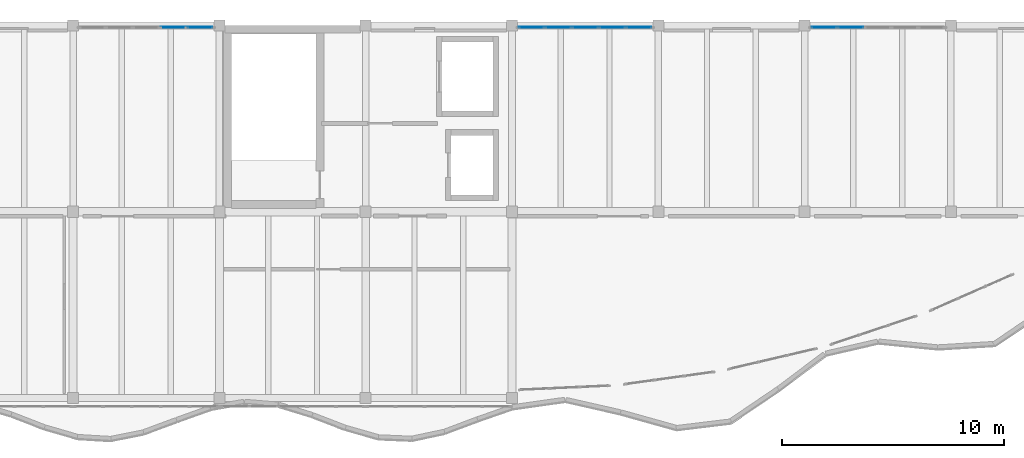
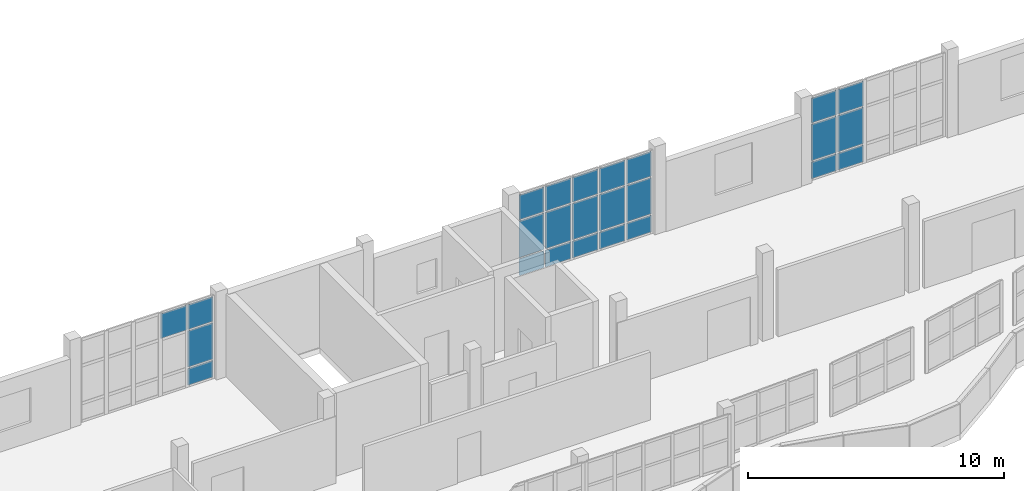
# One storey, part 30 of 47: 25 plates, 3 elements without a shape of their own.
"""IFC4 building model written with IfcOpenShell, lengths in metres."""

from ifc_helpers import new_model, si_unit, direction, frame, origin, origin_2d, place, context, subcontext, project, spatial, rectangle, extrude, material, layer, layer_set, type_object, element, aggregate, save


model = new_model("IFC4")

# Units and contexts
model_context = context("Model", 3, precision=1e-05, world=origin(), true_north=direction((0.0, 1.0)))
body_context = subcontext(model_context, "Body", "Model", "MODEL_VIEW")
ifc_project = project(units=[si_unit("LENGTHUNIT", "METRE"), si_unit("AREAUNIT", "SQUARE_METRE"), si_unit("VOLUMEUNIT", "CUBIC_METRE"), si_unit("PLANEANGLEUNIT", "RADIAN"), si_unit("MASSUNIT", "GRAM", prefix="KILO")], contexts=[model_context])

# Site, building, storey
site_placement = place(None, origin())
site = spatial("IfcSite", under=ifc_project, at=site_placement, CompositionType="ELEMENT")
building_placement = place(site_placement, origin())
building = spatial("IfcBuilding", under=site, at=building_placement, Name="Qaldarim Faculty of Natural and Applied Sciences", CompositionType="ELEMENT")
storey_placement = place(building_placement, frame((0.0, 0.0, 22.800048828125)))
storey = spatial("IfcBuildingStorey", under=building, at=storey_placement, Name="L05", CompositionType="ELEMENT", Elevation=22.800048828125)

# Curtain wall, plates
ifc_material_1 = material(Name="Anodised aluminium AW-6063", Category="aluminium")
curtain_wall_type = type_object("IfcCurtainWallType", Name="CurtainWallSystem-M1200", PredefinedType="USERDEFINED", material=ifc_material_1)
curtain_wall_1_placement = place(storey_placement, origin())
curtain_wall_1 = element("IfcCurtainWall", 1, at=curtain_wall_1_placement, inside=storey, type_object=curtain_wall_type, Name="Curtain wall CW-L05-N-X15Y14", ObjectType="STICK CURTAIN WALL", PredefinedType="USERDEFINED")
ifc_material_2 = material(Name="Insulated low-e double glazing", Category="glass")
ifc_layer = layer(ifc_material_2, 0.031982421875)
ifc_layer_set = layer_set([ifc_layer], Name="Insulated low-e double glazing")
plate_type = type_object("IfcPlateType", Name="SolarControlGlazingPanel-32", PredefinedType="CURTAIN_PANEL", material=ifc_layer_set)
plate_1_placement = place(storey_placement, frame((98.12646484375, 117.52001953125, 0.070068359375), z_axis=(0.0, 0.0, 1.0), x_axis=(-1.0, 0.0, 0.0)))
plate_1 = element("IfcPlate", 2, at=plate_1_placement, type_object=plate_type, Name="Glazed panel 1-1 of CW-L05-N-X15Y14", PredefinedType="CURTAIN_PANEL", context=body_context, shape_type="SweptSolid", body=[
    extrude(rectangle(XDim=1.116943359375, YDim=0.031982421875, at=origin_2d()), origin(), (0.0, 0.0, 1.0), 0.794921875),
])
plate_2_placement = place(storey_placement, frame((98.12646484375, 117.52001953125, 0.93505859375), z_axis=(0.0, 0.0, 1.0), x_axis=(-1.0, 0.0, 0.0)))
plate_2 = element("IfcPlate", 3, at=plate_2_placement, type_object=plate_type, Name="Glazed panel 1-2 of CW-L05-N-X15Y14", PredefinedType="CURTAIN_PANEL", context=body_context, shape_type="SweptSolid", body=[
    extrude(rectangle(XDim=1.116943359375, YDim=0.031982421875, at=origin_2d()), origin(), (0.0, 0.0, 1.0), 1.72998046875),
])
plate_3_placement = place(storey_placement, frame((98.12646484375, 117.52001953125, 2.73486328125), z_axis=(0.0, 0.0, 1.0), x_axis=(-1.0, 0.0, 0.0)))
plate_3 = element("IfcPlate", 4, at=plate_3_placement, type_object=plate_type, Name="Glazed panel 1-3 of CW-L05-N-X15Y14", PredefinedType="CURTAIN_PANEL", context=body_context, shape_type="SweptSolid", body=[
    extrude(rectangle(XDim=1.116943359375, YDim=0.031982421875, at=origin_2d()), origin(), (0.0, 0.0, 1.0), 1.175048828125),
])
plate_4_placement = place(storey_placement, frame((96.922119140625, 117.52001953125, 2.73486328125), z_axis=(0.0, 0.0, 1.0), x_axis=(-1.0, 0.0, 0.0)))
plate_4 = element("IfcPlate", 5, at=plate_4_placement, type_object=plate_type, Name="Glazed panel 2-3 of CW-L05-N-X15Y14", PredefinedType="CURTAIN_PANEL", context=body_context, shape_type="SweptSolid", body=[
    extrude(rectangle(XDim=1.152099609375, YDim=0.031982421875, at=origin_2d()), origin(), (0.0, 0.0, 1.0), 1.175048828125),
])
aggregate(curtain_wall_1, [plate_1, plate_2, plate_3, plate_4])

curtain_wall_2_placement = place(storey_placement, origin())
curtain_wall_2 = element("IfcCurtainWall", 6, at=curtain_wall_2_placement, inside=storey, type_object=curtain_wall_type, Name="Curtain wall CW-L05-N-X18Y14", ObjectType="STICK CURTAIN WALL", PredefinedType="USERDEFINED")
plate_5_placement = place(storey_placement, frame((117.926513671875, 117.52001953125, 0.070068359375), z_axis=(0.0, 0.0, 1.0), x_axis=(-1.0, 0.0, 0.0)))
plate_5 = element("IfcPlate", 7, at=plate_5_placement, type_object=plate_type, Name="Glazed panel 1-1 of CW-L05-N-X18Y14", PredefinedType="CURTAIN_PANEL", context=body_context, shape_type="SweptSolid", body=[
    extrude(rectangle(XDim=1.116943359375, YDim=0.031982421875, at=origin_2d()), origin(), (0.0, 0.0, 1.0), 0.794921875),
])
plate_6_placement = place(storey_placement, frame((117.926513671875, 117.52001953125, 0.93505859375), z_axis=(0.0, 0.0, 1.0), x_axis=(-1.0, 0.0, 0.0)))
plate_6 = element("IfcPlate", 8, at=plate_6_placement, type_object=plate_type, Name="Glazed panel 1-2 of CW-L05-N-X18Y14", PredefinedType="CURTAIN_PANEL", context=body_context, shape_type="SweptSolid", body=[
    extrude(rectangle(XDim=1.116943359375, YDim=0.031982421875, at=origin_2d()), origin(), (0.0, 0.0, 1.0), 1.72998046875),
])
plate_7_placement = place(storey_placement, frame((117.926513671875, 117.52001953125, 2.73486328125), z_axis=(0.0, 0.0, 1.0), x_axis=(-1.0, 0.0, 0.0)))
plate_7 = element("IfcPlate", 9, at=plate_7_placement, type_object=plate_type, Name="Glazed panel 1-3 of CW-L05-N-X18Y14", PredefinedType="CURTAIN_PANEL", context=body_context, shape_type="SweptSolid", body=[
    extrude(rectangle(XDim=1.116943359375, YDim=0.031982421875, at=origin_2d()), origin(), (0.0, 0.0, 1.0), 1.175048828125),
])
plate_8_placement = place(storey_placement, frame((116.721923828125, 117.52001953125, 0.070068359375), z_axis=(0.0, 0.0, 1.0), x_axis=(-1.0, 0.0, 0.0)))
plate_8 = element("IfcPlate", 10, at=plate_8_placement, type_object=plate_type, Name="Glazed panel 2-1 of CW-L05-N-X18Y14", PredefinedType="CURTAIN_PANEL", context=body_context, shape_type="SweptSolid", body=[
    extrude(rectangle(XDim=1.152099609375, YDim=0.031982421875, at=origin_2d()), origin(), (0.0, 0.0, 1.0), 0.794921875),
])
plate_9_placement = place(storey_placement, frame((116.721923828125, 117.52001953125, 0.93505859375), z_axis=(0.0, 0.0, 1.0), x_axis=(-1.0, 0.0, 0.0)))
plate_9 = element("IfcPlate", 11, at=plate_9_placement, type_object=plate_type, Name="Glazed panel 2-2 of CW-L05-N-X18Y14", PredefinedType="CURTAIN_PANEL", context=body_context, shape_type="SweptSolid", body=[
    extrude(rectangle(XDim=1.152099609375, YDim=0.031982421875, at=origin_2d()), origin(), (0.0, 0.0, 1.0), 1.72998046875),
])
plate_10_placement = place(storey_placement, frame((116.721923828125, 117.52001953125, 2.73486328125), z_axis=(0.0, 0.0, 1.0), x_axis=(-1.0, 0.0, 0.0)))
plate_10 = element("IfcPlate", 12, at=plate_10_placement, type_object=plate_type, Name="Glazed panel 2-3 of CW-L05-N-X18Y14", PredefinedType="CURTAIN_PANEL", context=body_context, shape_type="SweptSolid", body=[
    extrude(rectangle(XDim=1.152099609375, YDim=0.031982421875, at=origin_2d()), origin(), (0.0, 0.0, 1.0), 1.175048828125),
])
plate_11_placement = place(storey_placement, frame((115.5, 117.52001953125, 0.070068359375), z_axis=(0.0, 0.0, 1.0), x_axis=(-1.0, 0.0, 0.0)))
plate_11 = element("IfcPlate", 13, at=plate_11_placement, type_object=plate_type, Name="Glazed panel 3-1 of CW-L05-N-X18Y14", PredefinedType="CURTAIN_PANEL", context=body_context, shape_type="SweptSolid", body=[
    extrude(rectangle(XDim=1.152099609375, YDim=0.031982421875, at=origin_2d()), origin(), (0.0, 0.0, 1.0), 0.794921875),
])
plate_12_placement = place(storey_placement, frame((115.5, 117.52001953125, 0.93505859375), z_axis=(0.0, 0.0, 1.0), x_axis=(-1.0, 0.0, 0.0)))
plate_12 = element("IfcPlate", 14, at=plate_12_placement, type_object=plate_type, Name="Glazed panel 3-2 of CW-L05-N-X18Y14", PredefinedType="CURTAIN_PANEL", context=body_context, shape_type="SweptSolid", body=[
    extrude(rectangle(XDim=1.152099609375, YDim=0.031982421875, at=origin_2d()), origin(), (0.0, 0.0, 1.0), 1.72998046875),
])
plate_13_placement = place(storey_placement, frame((115.5, 117.52001953125, 2.73486328125), z_axis=(0.0, 0.0, 1.0), x_axis=(-1.0, 0.0, 0.0)))
plate_13 = element("IfcPlate", 15, at=plate_13_placement, type_object=plate_type, Name="Glazed panel 3-3 of CW-L05-N-X18Y14", PredefinedType="CURTAIN_PANEL", context=body_context, shape_type="SweptSolid", body=[
    extrude(rectangle(XDim=1.152099609375, YDim=0.031982421875, at=origin_2d()), origin(), (0.0, 0.0, 1.0), 1.175048828125),
])
plate_14_placement = place(storey_placement, frame((114.278076171875, 117.52001953125, 0.070068359375), z_axis=(0.0, 0.0, 1.0), x_axis=(-1.0, 0.0, 0.0)))
plate_14 = element("IfcPlate", 16, at=plate_14_placement, type_object=plate_type, Name="Glazed panel 4-1 of CW-L05-N-X18Y14", PredefinedType="CURTAIN_PANEL", context=body_context, shape_type="SweptSolid", body=[
    extrude(rectangle(XDim=1.152099609375, YDim=0.031982421875, at=origin_2d()), origin(), (0.0, 0.0, 1.0), 0.794921875),
])
plate_15_placement = place(storey_placement, frame((114.278076171875, 117.52001953125, 0.93505859375), z_axis=(0.0, 0.0, 1.0), x_axis=(-1.0, 0.0, 0.0)))
plate_15 = element("IfcPlate", 17, at=plate_15_placement, type_object=plate_type, Name="Glazed panel 4-2 of CW-L05-N-X18Y14", PredefinedType="CURTAIN_PANEL", context=body_context, shape_type="SweptSolid", body=[
    extrude(rectangle(XDim=1.152099609375, YDim=0.031982421875, at=origin_2d()), origin(), (0.0, 0.0, 1.0), 1.72998046875),
])
plate_16_placement = place(storey_placement, frame((114.278076171875, 117.52001953125, 2.73486328125), z_axis=(0.0, 0.0, 1.0), x_axis=(-1.0, 0.0, 0.0)))
plate_16 = element("IfcPlate", 18, at=plate_16_placement, type_object=plate_type, Name="Glazed panel 4-3 of CW-L05-N-X18Y14", PredefinedType="CURTAIN_PANEL", context=body_context, shape_type="SweptSolid", body=[
    extrude(rectangle(XDim=1.152099609375, YDim=0.031982421875, at=origin_2d()), origin(), (0.0, 0.0, 1.0), 1.175048828125),
])
plate_17_placement = place(storey_placement, frame((113.073486328125, 117.52001953125, 0.070068359375), z_axis=(0.0, 0.0, 1.0), x_axis=(-1.0, 0.0, 0.0)))
plate_17 = element("IfcPlate", 19, at=plate_17_placement, type_object=plate_type, Name="Glazed panel 5-1 of CW-L05-N-X18Y14", PredefinedType="CURTAIN_PANEL", context=body_context, shape_type="SweptSolid", body=[
    extrude(rectangle(XDim=1.116943359375, YDim=0.031982421875, at=origin_2d()), origin(), (0.0, 0.0, 1.0), 0.794921875),
])
plate_18_placement = place(storey_placement, frame((113.073486328125, 117.52001953125, 0.93505859375), z_axis=(0.0, 0.0, 1.0), x_axis=(-1.0, 0.0, 0.0)))
plate_18 = element("IfcPlate", 20, at=plate_18_placement, type_object=plate_type, Name="Glazed panel 5-2 of CW-L05-N-X18Y14", PredefinedType="CURTAIN_PANEL", context=body_context, shape_type="SweptSolid", body=[
    extrude(rectangle(XDim=1.116943359375, YDim=0.031982421875, at=origin_2d()), origin(), (0.0, 0.0, 1.0), 1.72998046875),
])
plate_19_placement = place(storey_placement, frame((113.073486328125, 117.52001953125, 2.73486328125), z_axis=(0.0, 0.0, 1.0), x_axis=(-1.0, 0.0, 0.0)))
plate_19 = element("IfcPlate", 21, at=plate_19_placement, type_object=plate_type, Name="Glazed panel 5-3 of CW-L05-N-X18Y14", PredefinedType="CURTAIN_PANEL", context=body_context, shape_type="SweptSolid", body=[
    extrude(rectangle(XDim=1.116943359375, YDim=0.031982421875, at=origin_2d()), origin(), (0.0, 0.0, 1.0), 1.175048828125),
])
aggregate(curtain_wall_2, [plate_5, plate_6, plate_7, plate_8, plate_9, plate_10, plate_11, plate_12, plate_13, plate_14, plate_15, plate_16, plate_17, plate_18, plate_19])

curtain_wall_3_placement = place(storey_placement, origin())
curtain_wall_3 = element("IfcCurtainWall", 22, at=curtain_wall_3_placement, inside=storey, type_object=curtain_wall_type, Name="Curtain wall CW-L05-N-X20Y14", ObjectType="STICK CURTAIN WALL", PredefinedType="USERDEFINED")
plate_20_placement = place(storey_placement, frame((127.47802734375, 117.52001953125, 0.070068359375), z_axis=(0.0, 0.0, 1.0), x_axis=(-1.0, 0.0, 0.0)))
plate_20 = element("IfcPlate", 23, at=plate_20_placement, type_object=plate_type, Name="Glazed panel 4-1 of CW-L05-N-X20Y14", PredefinedType="CURTAIN_PANEL", context=body_context, shape_type="SweptSolid", body=[
    extrude(rectangle(XDim=1.152099609375, YDim=0.031982421875, at=origin_2d()), origin(), (0.0, 0.0, 1.0), 0.794921875),
])
plate_21_placement = place(storey_placement, frame((127.47802734375, 117.52001953125, 0.93505859375), z_axis=(0.0, 0.0, 1.0), x_axis=(-1.0, 0.0, 0.0)))
plate_21 = element("IfcPlate", 24, at=plate_21_placement, type_object=plate_type, Name="Glazed panel 4-2 of CW-L05-N-X20Y14", PredefinedType="CURTAIN_PANEL", context=body_context, shape_type="SweptSolid", body=[
    extrude(rectangle(XDim=1.152099609375, YDim=0.031982421875, at=origin_2d()), origin(), (0.0, 0.0, 1.0), 1.72998046875),
])
plate_22_placement = place(storey_placement, frame((127.47802734375, 117.52001953125, 2.73486328125), z_axis=(0.0, 0.0, 1.0), x_axis=(-1.0, 0.0, 0.0)))
plate_22 = element("IfcPlate", 25, at=plate_22_placement, type_object=plate_type, Name="Glazed panel 4-3 of CW-L05-N-X20Y14", PredefinedType="CURTAIN_PANEL", context=body_context, shape_type="SweptSolid", body=[
    extrude(rectangle(XDim=1.152099609375, YDim=0.031982421875, at=origin_2d()), origin(), (0.0, 0.0, 1.0), 1.175048828125),
])
plate_23_placement = place(storey_placement, frame((126.2734375, 117.52001953125, 0.070068359375), z_axis=(0.0, 0.0, 1.0), x_axis=(-1.0, 0.0, 0.0)))
plate_23 = element("IfcPlate", 26, at=plate_23_placement, type_object=plate_type, Name="Glazed panel 5-1 of CW-L05-N-X20Y14", PredefinedType="CURTAIN_PANEL", context=body_context, shape_type="SweptSolid", body=[
    extrude(rectangle(XDim=1.116943359375, YDim=0.031982421875, at=origin_2d()), origin(), (0.0, 0.0, 1.0), 0.794921875),
])
plate_24_placement = place(storey_placement, frame((126.2734375, 117.52001953125, 0.93505859375), z_axis=(0.0, 0.0, 1.0), x_axis=(-1.0, 0.0, 0.0)))
plate_24 = element("IfcPlate", 27, at=plate_24_placement, type_object=plate_type, Name="Glazed panel 5-2 of CW-L05-N-X20Y14", PredefinedType="CURTAIN_PANEL", context=body_context, shape_type="SweptSolid", body=[
    extrude(rectangle(XDim=1.116943359375, YDim=0.031982421875, at=origin_2d()), origin(), (0.0, 0.0, 1.0), 1.72998046875),
])
plate_25_placement = place(storey_placement, frame((126.2734375, 117.52001953125, 2.73486328125), z_axis=(0.0, 0.0, 1.0), x_axis=(-1.0, 0.0, 0.0)))
plate_25 = element("IfcPlate", 28, at=plate_25_placement, type_object=plate_type, Name="Glazed panel 5-3 of CW-L05-N-X20Y14", PredefinedType="CURTAIN_PANEL", context=body_context, shape_type="SweptSolid", body=[
    extrude(rectangle(XDim=1.116943359375, YDim=0.031982421875, at=origin_2d()), origin(), (0.0, 0.0, 1.0), 1.175048828125),
])
aggregate(curtain_wall_3, [plate_20, plate_21, plate_22, plate_23, plate_24, plate_25])

save(model, "model.ifc")
